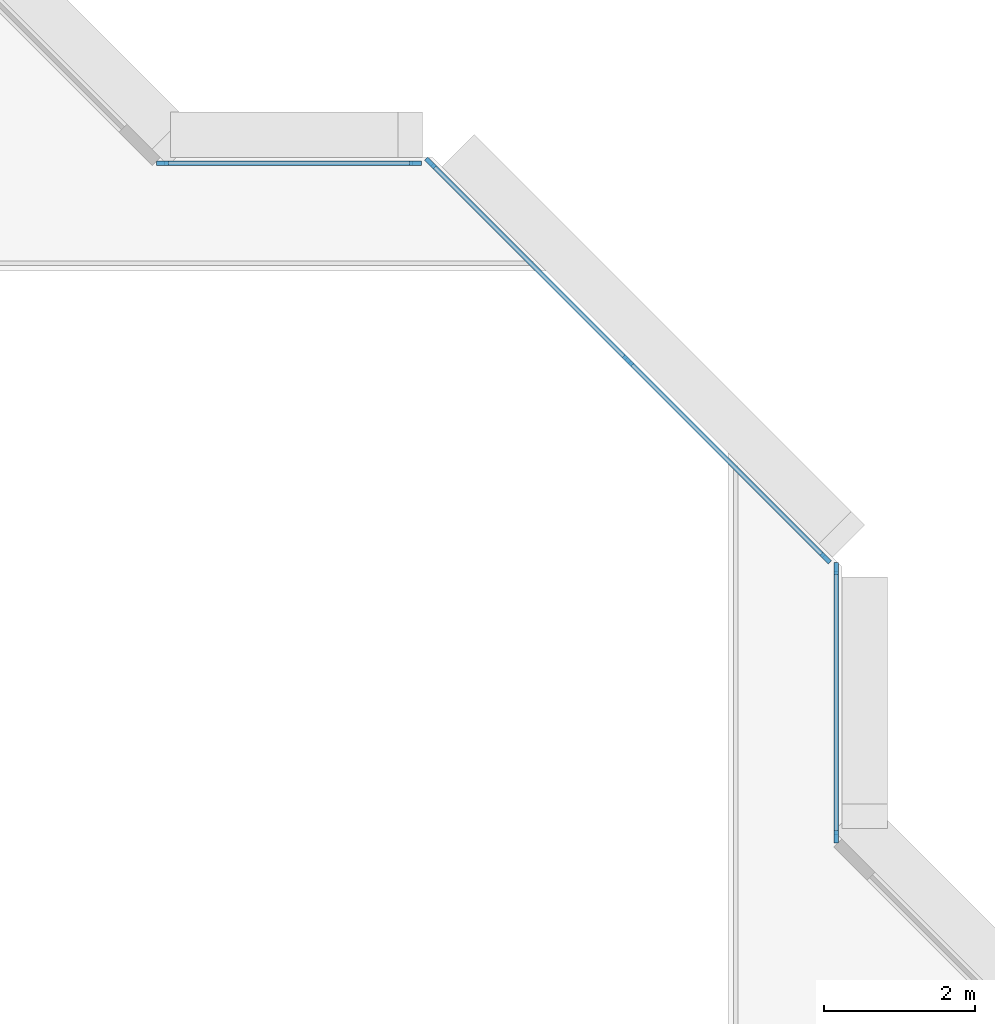
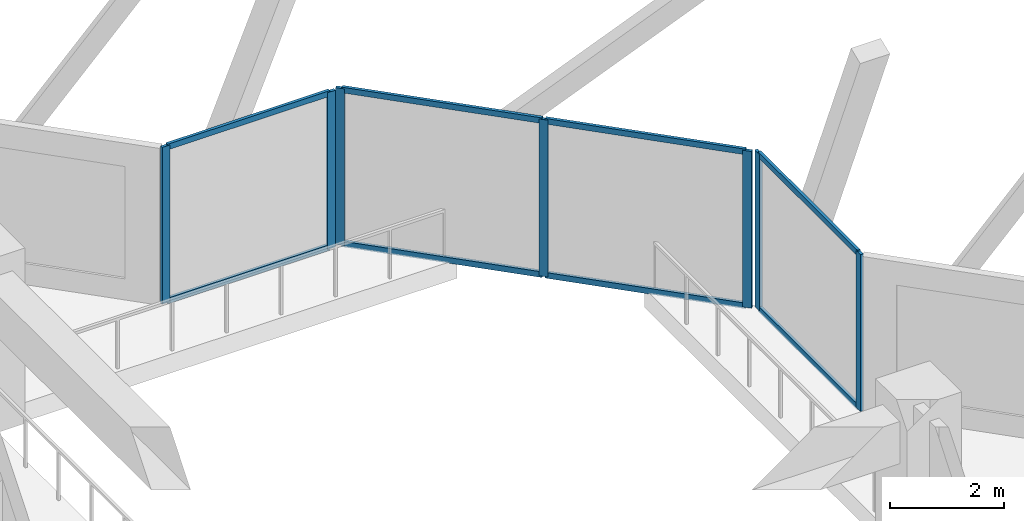
# One storey, part 2 of 15: 15 members, 3 elements without a shape of their own.
"""IFC4 building model written with IfcOpenShell, lengths in metres."""

from ifc_helpers import new_model, si_unit, direction, frame, origin, origin_2d, place, context, subcontext, project, spatial, rectangle, extrude, material, layer, layer_set, material_profile, profile_set, type_object, element, aggregate, save


model = new_model("IFC4")

# Units and contexts
model_context = context("Model", 3, precision=1e-05, world=origin(), true_north=direction((0.0, 1.0)))
body_context = subcontext(model_context, "Body", "Model", "MODEL_VIEW")
ifc_project = project(units=[si_unit("LENGTHUNIT", "METRE"), si_unit("AREAUNIT", "SQUARE_METRE"), si_unit("VOLUMEUNIT", "CUBIC_METRE"), si_unit("PLANEANGLEUNIT", "RADIAN"), si_unit("MASSUNIT", "GRAM", prefix="KILO")], contexts=[model_context])

# Site, building, storey
site_placement = place(None, origin())
site = spatial("IfcSite", under=ifc_project, at=site_placement, CompositionType="ELEMENT")
building_placement = place(site_placement, origin())
building = spatial("IfcBuilding", under=site, at=building_placement, Name="Chenar Terraces", CompositionType="ELEMENT")
storey_placement = place(building_placement, frame((0.0, 0.0, 48.89990234375)))
storey = spatial("IfcBuildingStorey", under=building, at=storey_placement, Name="L09", CompositionType="ELEMENT", Elevation=48.89990234375)

# Curtain wall, members
ifc_material_1 = material(Name="Aluminium framed glazing", Category="aluminium")
ifc_layer = layer(ifc_material_1, 0.14990234375)
ifc_layer_set = layer_set([ifc_layer], Name="Aluminium framed glazing")
curtain_wall_type = type_object("IfcCurtainWallType", Name="Atrium curtain wall", PredefinedType="NOTDEFINED", material=ifc_layer_set)
placement = place(storey_placement, origin())
curtain_wall_1 = element("IfcCurtainWall", 1, at=placement, inside=storey, type_object=curtain_wall_type, Name="Atrium curtain wall", PredefinedType="NOTDEFINED")
ifc_material_2 = material(Name="Aluminium", Category="aluminium")
ifc_material_profile_1 = material_profile(ifc_material_2, rectangle(XDim=0.06005859375, YDim=0.159912109375, at=origin_2d()), Name="Atrium glazing mullion 60 x 160")
ifc_profile_set_1 = profile_set([ifc_material_profile_1], Name="Aluminium")
member_type_1 = type_object("IfcMemberType", Name="Atrium glazing mullion 60 x 160", PredefinedType="MULLION", material=ifc_profile_set_1)
member_1_placement = place(storey_placement, frame((37.425048828125, 28.530029296875, 0.0), z_axis=(0.0, 0.0, 1.0), x_axis=(-1.0, 0.0, 0.0)))
member_1 = element("IfcMember", 2, at=member_1_placement, type_object=member_type_1, Name="CW1-1 mullion 1", PredefinedType="MULLION", context=body_context, shape_type="SweptSolid", body=[
    extrude(rectangle(XDim=0.06005859375, YDim=0.159912109375, at=origin_2d()), origin(), (0.0, 0.0, 1.0), 3.35009765625),
])
member_2_placement = place(storey_placement, frame((37.425048828125, 32.070068359375, 0.0), z_axis=(0.0, 0.0, 1.0), x_axis=(-1.0, 0.0, 0.0)))
member_2 = element("IfcMember", 3, at=member_2_placement, type_object=member_type_1, Name="CW1-1 mullion 2", PredefinedType="MULLION", context=body_context, shape_type="SweptSolid", body=[
    extrude(rectangle(XDim=0.06005859375, YDim=0.159912109375, at=origin_2d()), origin(), (0.0, 0.0, 1.0), 3.35009765625),
])

curtain_wall_2 = element("IfcCurtainWall", 4, at=placement, inside=storey, type_object=curtain_wall_type, Name="Atrium curtain wall", PredefinedType="NOTDEFINED")
member_3_placement = place(storey_placement, frame((37.284423828125, 32.209716796875, 0.0), z_axis=(0.0, 0.0, 1.0), x_axis=(-0.707106781187, -0.707106781187, 0.0)))
member_3 = element("IfcMember", 5, at=member_3_placement, type_object=member_type_1, Name="CW1-2 mullion 1", PredefinedType="MULLION", context=body_context, shape_type="SweptSolid", body=[
    extrude(rectangle(XDim=0.06005859375, YDim=0.159912109375, at=origin_2d()), origin(), (0.0, 0.0, 1.0), 3.35009765625),
])
member_4_placement = place(storey_placement, frame((34.67626953125, 34.817626953125, 0.0), z_axis=(0.0, 0.0, 1.0), x_axis=(-0.707106781187, -0.707106781187, 0.0)))
member_4 = element("IfcMember", 6, at=member_4_placement, type_object=member_type_1, Name="CW1-2 mullion 2", PredefinedType="MULLION", context=body_context, shape_type="SweptSolid", body=[
    extrude(rectangle(XDim=0.06005859375, YDim=0.159912109375, at=origin_2d()), origin(), (0.0, 0.0, 1.0), 3.35009765625),
])
member_5_placement = place(storey_placement, frame((32.068115234375, 37.42578125, 0.0), z_axis=(0.0, 0.0, 1.0), x_axis=(-0.707106781187, -0.707106781187, 0.0)))
member_5 = element("IfcMember", 7, at=member_5_placement, type_object=member_type_1, Name="CW1-2 mullion 3", PredefinedType="MULLION", context=body_context, shape_type="SweptSolid", body=[
    extrude(rectangle(XDim=0.06005859375, YDim=0.159912109375, at=origin_2d()), origin(), (0.0, 0.0, 1.0), 3.35009765625),
])

curtain_wall_3 = element("IfcCurtainWall", 8, at=placement, inside=storey, type_object=curtain_wall_type, Name="Atrium curtain wall", PredefinedType="NOTDEFINED")
member_6_placement = place(storey_placement, frame((31.8701171875, 37.425048828125, 0.0), z_axis=(0.0, 0.0, 1.0), x_axis=(0.0, -1.0, 0.0)))
member_6 = element("IfcMember", 9, at=member_6_placement, type_object=member_type_1, Name="CW1-3 mullion 1", PredefinedType="MULLION", context=body_context, shape_type="SweptSolid", body=[
    extrude(rectangle(XDim=0.06005859375, YDim=0.159912109375, at=origin_2d()), origin(), (0.0, 0.0, 1.0), 3.35009765625),
])
member_7_placement = place(storey_placement, frame((28.530029296875, 37.425048828125, 0.0), z_axis=(0.0, 0.0, 1.0), x_axis=(0.0, -1.0, 0.0)))
member_7 = element("IfcMember", 10, at=member_7_placement, type_object=member_type_1, Name="CW1-3 mullion 2", PredefinedType="MULLION", context=body_context, shape_type="SweptSolid", body=[
    extrude(rectangle(XDim=0.06005859375, YDim=0.159912109375, at=origin_2d()), origin(), (0.0, 0.0, 1.0), 3.35009765625),
])

# Member
ifc_material_3 = material(Name="Aluminium", Category="aluminium")
ifc_material_profile_2 = material_profile(ifc_material_3, rectangle(XDim=0.06005859375, YDim=0.1201171875, at=origin_2d()), Name="Atrium glazing transom 60 x 120")
ifc_profile_set_2 = profile_set([ifc_material_profile_2], Name="Aluminium")
member_type_2 = type_object("IfcMemberType", Name="Atrium glazing transom 60 x 120", PredefinedType="USERDEFINED", material=ifc_profile_set_2)
member_8_placement = place(storey_placement, frame((37.425048828125, 28.56005859375, 0.030029296875), z_axis=(0.0, 1.0, 0.0), x_axis=(-1.0, 0.0, 0.0)))
member_8 = element("IfcMember", 11, at=member_8_placement, type_object=member_type_2, Name="CW1-1 transom 1.1", ObjectType="TRANSOM", PredefinedType="USERDEFINED", context=body_context, shape_type="SweptSolid", body=[
    extrude(rectangle(XDim=0.06005859375, YDim=0.1201171875, at=origin_2d()), origin(), (0.0, 0.0, 1.0), 3.47998046875),
])

member_9_placement = place(storey_placement, frame((37.425048828125, 28.56005859375, 3.320068359375), z_axis=(0.0, 1.0, 0.0), x_axis=(-1.0, 0.0, 0.0)))
member_9 = element("IfcMember", 12, at=member_9_placement, type_object=member_type_2, Name="CW1-1 transom 1.2", ObjectType="TRANSOM", PredefinedType="USERDEFINED", context=body_context, shape_type="SweptSolid", body=[
    extrude(rectangle(XDim=0.06005859375, YDim=0.1201171875, at=origin_2d()), origin(), (0.0, 0.0, 1.0), 3.47998046875),
])

aggregate(curtain_wall_1, [member_1, member_2, member_8, member_9])

member_10_placement = place(storey_placement, frame((37.26318359375, 32.230712890625, 0.030029296875), z_axis=(-0.707106781187, 0.707106781187, 0.0), x_axis=(-0.707106781187, -0.707106781187, 0.0)))
member_10 = element("IfcMember", 13, at=member_10_placement, type_object=member_type_2, Name="CW1-2 transom 1.1", ObjectType="TRANSOM", PredefinedType="USERDEFINED", context=body_context, shape_type="SweptSolid", body=[
    extrude(rectangle(XDim=0.06005859375, YDim=0.1201171875, at=origin_2d()), origin(), (0.0, 0.0, 1.0), 3.62841796875),
])

member_11_placement = place(storey_placement, frame((37.26318359375, 32.230712890625, 3.320068359375), z_axis=(-0.707106781187, 0.707106781187, 0.0), x_axis=(-0.707106781187, -0.707106781187, 0.0)))
member_11 = element("IfcMember", 14, at=member_11_placement, type_object=member_type_2, Name="CW1-2 transom 1.2", ObjectType="TRANSOM", PredefinedType="USERDEFINED", context=body_context, shape_type="SweptSolid", body=[
    extrude(rectangle(XDim=0.06005859375, YDim=0.1201171875, at=origin_2d()), origin(), (0.0, 0.0, 1.0), 3.62841796875),
])

member_12_placement = place(storey_placement, frame((34.655029296875, 34.8388671875, 0.030029296875), z_axis=(-0.707106781187, 0.707106781187, 0.0), x_axis=(-0.707106781187, -0.707106781187, 0.0)))
member_12 = element("IfcMember", 15, at=member_12_placement, type_object=member_type_2, Name="CW1-2 transom 2.1", ObjectType="TRANSOM", PredefinedType="USERDEFINED", context=body_context, shape_type="SweptSolid", body=[
    extrude(rectangle(XDim=0.06005859375, YDim=0.1201171875, at=origin_2d()), origin(), (0.0, 0.0, 1.0), 3.62841796875),
])

member_13_placement = place(storey_placement, frame((34.655029296875, 34.8388671875, 3.320068359375), z_axis=(-0.707106781187, 0.707106781187, 0.0), x_axis=(-0.707106781187, -0.707106781187, 0.0)))
member_13 = element("IfcMember", 16, at=member_13_placement, type_object=member_type_2, Name="CW1-2 transom 2.2", ObjectType="TRANSOM", PredefinedType="USERDEFINED", context=body_context, shape_type="SweptSolid", body=[
    extrude(rectangle(XDim=0.06005859375, YDim=0.1201171875, at=origin_2d()), origin(), (0.0, 0.0, 1.0), 3.62841796875),
])

aggregate(curtain_wall_2, [member_3, member_4, member_5, member_10, member_11, member_12, member_13])

member_14_placement = place(storey_placement, frame((31.840087890625, 37.425048828125, 0.030029296875), z_axis=(-1.0, 0.0, 0.0), x_axis=(0.0, -1.0, 0.0)))
member_14 = element("IfcMember", 17, at=member_14_placement, type_object=member_type_2, Name="CW1-3 transom 1.1", ObjectType="TRANSOM", PredefinedType="USERDEFINED", context=body_context, shape_type="SweptSolid", body=[
    extrude(rectangle(XDim=0.06005859375, YDim=0.1201171875, at=origin_2d()), origin(), (0.0, 0.0, 1.0), 3.280029296875),
])

member_15_placement = place(storey_placement, frame((31.840087890625, 37.425048828125, 3.320068359375), z_axis=(-1.0, 0.0, 0.0), x_axis=(0.0, -1.0, 0.0)))
member_15 = element("IfcMember", 18, at=member_15_placement, type_object=member_type_2, Name="CW1-3 transom 1.2", ObjectType="TRANSOM", PredefinedType="USERDEFINED", context=body_context, shape_type="SweptSolid", body=[
    extrude(rectangle(XDim=0.06005859375, YDim=0.1201171875, at=origin_2d()), origin(), (0.0, 0.0, 1.0), 3.280029296875),
])

aggregate(curtain_wall_3, [member_6, member_7, member_14, member_15])

save(model, "model.ifc")
